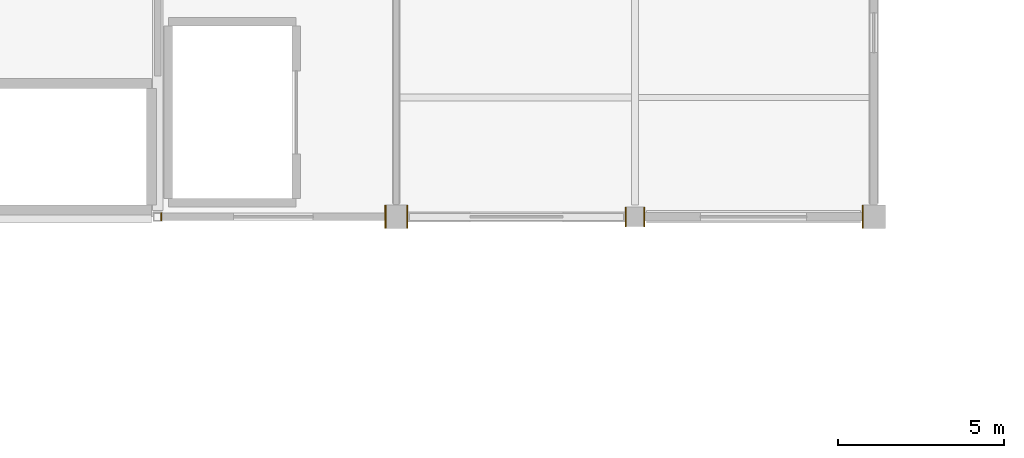
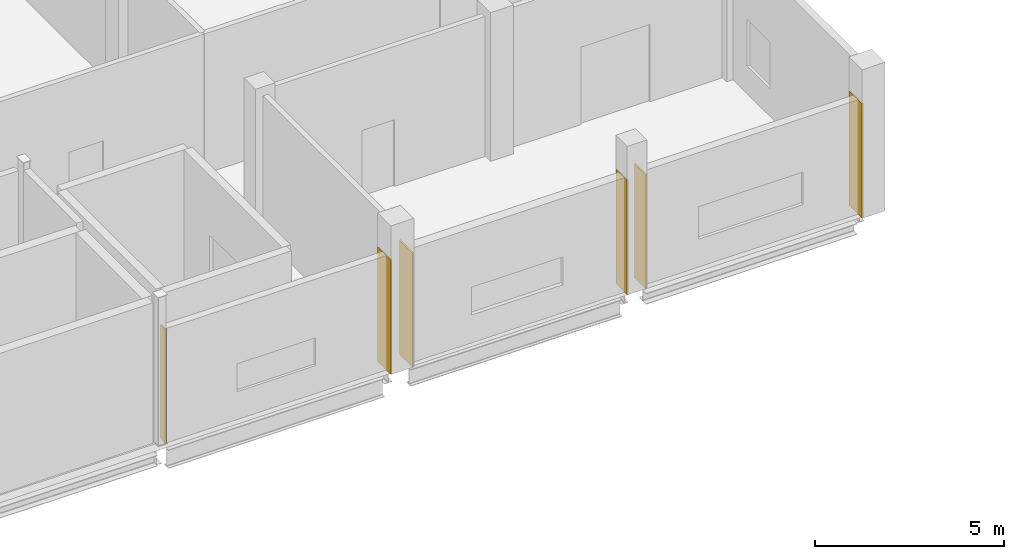
# One storey, part 69 of 72: 6 coverings.
"""IFC4 building model written with IfcOpenShell, lengths in metres."""

from ifc_helpers import new_model, si_unit, direction, frame, origin, place, context, subcontext, project, spatial, polyline, outline, extrude, material, layer, layer_set, type_object, element, save


model = new_model("IFC4")

# Units and contexts
model_context = context("Model", 3, precision=1e-05, world=origin(), true_north=direction((0.0, 1.0)))
body_context = subcontext(model_context, "Body", "Model", "MODEL_VIEW")
ifc_project = project(units=[si_unit("LENGTHUNIT", "METRE"), si_unit("AREAUNIT", "SQUARE_METRE"), si_unit("VOLUMEUNIT", "CUBIC_METRE"), si_unit("PLANEANGLEUNIT", "RADIAN"), si_unit("MASSUNIT", "GRAM", prefix="KILO")], contexts=[model_context])

# Site, building, storey
site_placement = place(None, origin())
site = spatial("IfcSite", under=ifc_project, at=site_placement, CompositionType="ELEMENT")
building_placement = place(site_placement, origin())
building = spatial("IfcBuilding", under=site, at=building_placement, Name="Calvrana Isthmian Art Gallery", CompositionType="ELEMENT")
storey_placement = place(building_placement, frame((0.0, 0.0, 15.0)))
storey = spatial("IfcBuildingStorey", under=building, at=storey_placement, Name="L03", CompositionType="ELEMENT", Elevation=15.0)

# Coverings
ifc_material = material(Name="Polychrome glazed terracotta", Category="masonry")
ifc_layer = layer(ifc_material, 0.0400390625, Name="Polychrome glazed terracotta")
ifc_layer_set = layer_set([ifc_layer], Name="Polychrome glazed terracotta")
covering_type = type_object("IfcCoveringType", Name="COV-CLAD-TERRA", PredefinedType="CLADDING", material=ifc_layer_set)
covering_1_placement = place(storey_placement, origin())
element("IfcCovering", 1, at=covering_1_placement, inside=storey, type_object=covering_type, Name="Column pocket weather closure L03-14-10-W", PredefinedType="CLADDING", context=body_context, shape_type="SweptSolid", body=[
    extrude(outline(polyline([(112.886962890625, 76.677978515625), (112.927001953125, 76.677978515625), (112.927001953125, 76.922119140625), (112.886962890625, 76.922119140625), (112.886962890625, 76.677978515625)])), origin(), (0.0, 0.0, 1.0), 3.695068359375),
])
covering_2_placement = place(storey_placement, origin())
element("IfcCovering", 2, at=covering_2_placement, inside=storey, type_object=covering_type, Name="Column pocket weather closure L03-14-10-E", PredefinedType="CLADDING", context=body_context, shape_type="SweptSolid", body=[
    extrude(outline(polyline([(119.64990234375, 76.455078125), (119.68994140625, 76.455078125), (119.68994140625, 77.14501953125), (119.64990234375, 77.14501953125), (119.64990234375, 76.455078125)])), origin(), (0.0, 0.0, 1.0), 3.695068359375),
])
covering_3_placement = place(storey_placement, origin())
element("IfcCovering", 3, at=covering_3_placement, inside=storey, type_object=covering_type, Name="Column pocket weather closure L03-15-10-W", PredefinedType="CLADDING", context=body_context, shape_type="SweptSolid", body=[
    extrude(outline(polyline([(120.31005859375, 76.455078125), (120.35009765625, 76.455078125), (120.35009765625, 77.14501953125), (120.31005859375, 77.14501953125), (120.31005859375, 76.455078125)])), origin(), (0.0, 0.0, 1.0), 3.695068359375),
])
covering_4_placement = place(storey_placement, origin())
element("IfcCovering", 4, at=covering_4_placement, inside=storey, type_object=covering_type, Name="Column pocket weather closure L03-15-10-E", PredefinedType="CLADDING", context=body_context, shape_type="SweptSolid", body=[
    extrude(outline(polyline([(126.89990234375, 76.5048828125), (126.93994140625, 76.5048828125), (126.93994140625, 77.094970703125), (126.89990234375, 77.094970703125), (126.89990234375, 76.5048828125)])), origin(), (0.0, 0.0, 1.0), 3.695068359375),
])
covering_5_placement = place(storey_placement, origin())
element("IfcCovering", 5, at=covering_5_placement, inside=storey, type_object=covering_type, Name="Column pocket weather closure L03-16-10-W", PredefinedType="CLADDING", context=body_context, shape_type="SweptSolid", body=[
    extrude(outline(polyline([(127.4599609375, 76.5048828125), (127.5, 76.5048828125), (127.5, 77.094970703125), (127.4599609375, 77.094970703125), (127.4599609375, 76.5048828125)])), origin(), (0.0, 0.0, 1.0), 3.695068359375),
])
covering_6_placement = place(storey_placement, origin())
element("IfcCovering", 6, at=covering_6_placement, inside=storey, type_object=covering_type, Name="Column pocket weather closure L03-16-10-E", PredefinedType="CLADDING", context=body_context, shape_type="SweptSolid", body=[
    extrude(outline(polyline([(134.050048828125, 76.455078125), (134.090087890625, 76.455078125), (134.090087890625, 77.14501953125), (134.050048828125, 77.14501953125), (134.050048828125, 76.455078125)])), origin(), (0.0, 0.0, 1.0), 3.695068359375),
])

save(model, "model.ifc")
